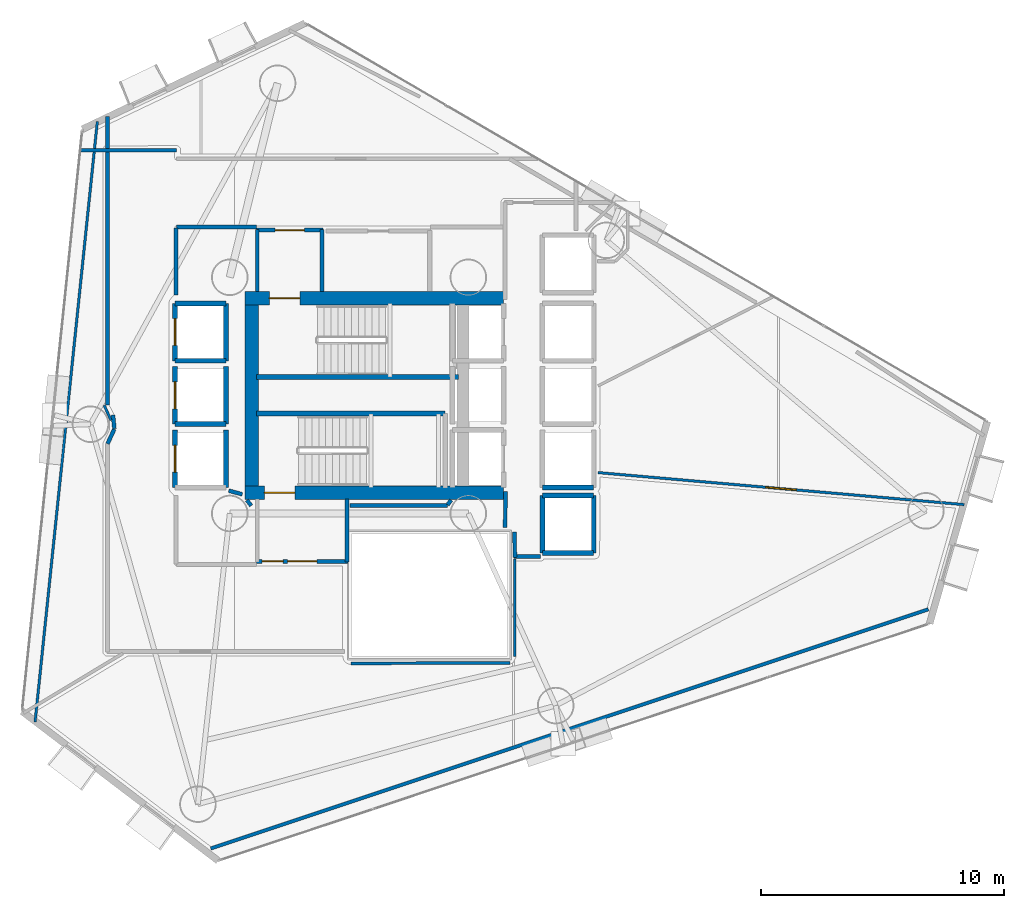
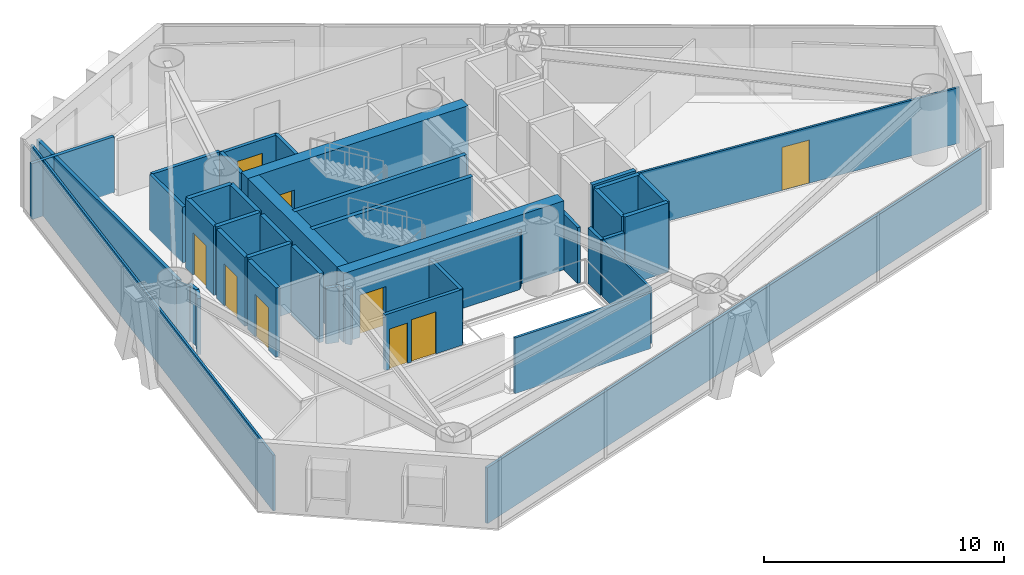
# One storey, part 14 of 19: 43 walls, 9 doors, 9 openings.
"""IFC4 building model written with IfcOpenShell, lengths in metres."""

from ifc_helpers import new_model, si_unit, direction, frame, frame_2d, origin, place, context, subcontext, project, spatial, rectangle, extrude, material, layer, layer_set, type_object, element, fill, save


model = new_model("IFC4")

# Units and contexts
model_context = context("Model", 3, precision=1e-05, world=origin(), true_north=direction((0.0, 1.0)))
body_context = subcontext(model_context, "Body", "Model", "MODEL_VIEW")
ifc_project = project(units=[si_unit("LENGTHUNIT", "METRE"), si_unit("AREAUNIT", "SQUARE_METRE"), si_unit("VOLUMEUNIT", "CUBIC_METRE"), si_unit("PLANEANGLEUNIT", "RADIAN"), si_unit("MASSUNIT", "GRAM", prefix="KILO")], contexts=[model_context])

# Site, building, storey
site_placement = place(None, origin())
site = spatial("IfcSite", under=ifc_project, at=site_placement, CompositionType="ELEMENT")
building_placement = place(site_placement, origin())
building = spatial("IfcBuilding", under=site, at=building_placement, Name="Qianvela Tower", CompositionType="ELEMENT")
storey_placement = place(building_placement, frame((0.0, 0.0, 120.0)))
storey = spatial("IfcBuildingStorey", under=building, at=storey_placement, Name="L30", CompositionType="ELEMENT", Elevation=120.0)

# Wall, opening, door
ifc_material_1 = material(Name="Concrete C60", Category="concrete")
ifc_layer_1 = layer(ifc_material_1, 0.550048828125)
ifc_layer_set_1 = layer_set([ifc_layer_1], Name="Concrete C60")
wall_type_1 = type_object("IfcWallType", Name="WT-CORE-550", PredefinedType="SHEAR", material=ifc_layer_set_1)
wall_1_placement = place(storey_placement, frame((29.22998046875, 32.695068359375, 0.0), z_axis=(0.0, 0.0, 1.0), x_axis=(1.0, 0.0, 0.0)))
wall_1 = element("IfcWall", 1, at=wall_1_placement, inside=storey, type_object=wall_type_1, Name="L30 North Core Shear Wall", PredefinedType="SHEAR", context=body_context, shape_type="SweptSolid", body=[
    extrude(rectangle(XDim=10.6201171875, YDim=0.550048828125, at=frame_2d((5.31005859375, 0.0))), origin(), (0.0, 0.0, 1.0), 3.52001953125),
])
opening_1_placement = place(wall_1_placement, frame((0.9951171875, 0.0, 0.0)))
opening_1 = element("IfcOpeningElement", 2, at=opening_1_placement, cuts=wall_1, Name="Opening D-ST1", PredefinedType="OPENING", context=body_context, shape_type="SweptSolid", body=[
    extrude(rectangle(XDim=1.25, YDim=2.14990234375, at=frame_2d((0.625, 1.074951171875))), frame((0.0, 0.284912109375, 0.0), z_axis=(0.0, -1.0, 0.0), x_axis=(1.0, 0.0, 0.0)), (0.0, 0.0, 1.0), 0.570068359375),
])
ifc_material_2 = material(Name="Galvanised Fire Steel Q355B", Category="steel")
door_type_1 = type_object("IfcDoorType", Name="DT-STAIR-FD90", OperationType="NOTDEFINED", PredefinedType="DOOR", material=ifc_material_2)
door_1_placement = place(opening_1_placement, origin())
door_1 = element("IfcDoor", 3, at=door_1_placement, inside=storey, type_object=door_type_1, Name="L30 Stair ST-1 Exit Door", OperationType="SINGLE_SWING_RIGHT", OverallHeight=2.14990234375, OverallWidth=1.25, PredefinedType="DOOR", context=body_context, shape_type="SweptSolid", body=[
    extrude(rectangle(XDim=1.25, YDim=2.14990234375, at=frame_2d((0.625, 1.074951171875))), frame((0.0, 0.02490234375, 0.0), z_axis=(0.0, -1.0, 0.0), x_axis=(1.0, 0.0, 0.0)), (0.0, 0.0, 1.0), 0.050048828125),
])
fill(opening_1, door_1)

wall_2_placement = place(storey_placement, frame((29.22998046875, 24.705078125, 0.0), z_axis=(0.0, 0.0, 1.0), x_axis=(1.0, 0.0, 0.0)))
wall_2 = element("IfcWall", 4, at=wall_2_placement, inside=storey, type_object=wall_type_1, Name="L30 South Core Shear Wall", PredefinedType="SHEAR", context=body_context, shape_type="SweptSolid", body=[
    extrude(rectangle(XDim=10.6201171875, YDim=0.550048828125, at=frame_2d((5.31005859375, 0.0))), origin(), (0.0, 0.0, 1.0), 3.52001953125),
])
opening_2_placement = place(wall_2_placement, frame((0.794921875, 0.0, 0.0)))
opening_2 = element("IfcOpeningElement", 5, at=opening_2_placement, cuts=wall_2, Name="Opening D-ST1", PredefinedType="OPENING", context=body_context, shape_type="SweptSolid", body=[
    extrude(rectangle(XDim=1.25, YDim=2.14990234375, at=frame_2d((0.625, 1.074951171875))), frame((0.0, 0.284912109375, 0.0), z_axis=(0.0, -1.0, 0.0), x_axis=(1.0, 0.0, 0.0)), (0.0, 0.0, 1.0), 0.570068359375),
])
door_2_placement = place(opening_2_placement, origin())
door_2 = element("IfcDoor", 6, at=door_2_placement, inside=storey, type_object=door_type_1, Name="L30 Stair ST-2 Exit Door", OperationType="SINGLE_SWING_RIGHT", OverallHeight=2.14990234375, OverallWidth=1.25, PredefinedType="DOOR", context=body_context, shape_type="SweptSolid", body=[
    extrude(rectangle(XDim=1.25, YDim=2.14990234375, at=frame_2d((0.625, 1.074951171875))), frame((0.0, 0.02490234375, 0.0), z_axis=(0.0, -1.0, 0.0), x_axis=(1.0, 0.0, 0.0)), (0.0, 0.0, 1.0), 0.050048828125),
])
fill(opening_2, door_2)

# Walls
wall_3_placement = place(storey_placement, frame((29.5048828125, 24.97998046875, 0.0), z_axis=(0.0, 0.0, 1.0), x_axis=(0.0, 1.0, 0.0)))
element("IfcWall", 7, at=wall_3_placement, inside=storey, type_object=wall_type_1, Name="L30 West Core Shear Wall", PredefinedType="SHEAR", context=body_context, shape_type="SweptSolid", body=[
    extrude(rectangle(XDim=7.43994140625, YDim=0.550048828125, at=frame_2d((3.719970703125, 0.0))), origin(), (0.0, 0.0, 1.0), 3.52001953125),
])
ifc_material_3 = material(Name="Fire-Rated Gypsum and Concrete Block", Category="concrete")
ifc_layer_2 = layer(ifc_material_3, 0.159912109375)
ifc_layer_set_2 = layer_set([ifc_layer_2], Name="Fire-Rated Gypsum and Concrete Block")
wall_type_2 = type_object("IfcWallType", Name="WT-CORR-160", PredefinedType="PARTITIONING", material=ifc_layer_set_2)
wall_4_placement = place(storey_placement, frame((29.73095703125, 32.9580078125, 0.0), z_axis=(0.0, 0.0, 1.0), x_axis=(0.0, 1.0, 0.0)))
element("IfcWall", 8, at=wall_4_placement, inside=storey, type_object=wall_type_2, Name="L30 Partition 2", PredefinedType="PARTITIONING", context=body_context, shape_type="SweptSolid", body=[
    extrude(rectangle(XDim=2.56201171875, YDim=0.159912109375, at=frame_2d((1.281005859375, 0.0))), origin(), (0.0, 0.0, 1.0), 2.840087890625),
])

# Wall, opening, door
wall_5_placement = place(storey_placement, frame((29.699951171875, 35.489013671875, 0.0), z_axis=(0.0, 0.0, 1.0), x_axis=(1.0, 0.0, 0.0)))
wall_5 = element("IfcWall", 9, at=wall_5_placement, inside=storey, type_object=wall_type_2, Name="L30 Partition 3", PredefinedType="PARTITIONING", context=body_context, shape_type="SweptSolid", body=[
    extrude(rectangle(XDim=2.719970703125, YDim=0.159912109375, at=frame_2d((1.35986328125, 0.0))), origin(), (0.0, 0.0, 1.0), 2.840087890625),
])
opening_3_placement = place(wall_5_placement, frame((0.760009765625, 0.0, 0.0)))
opening_3 = element("IfcOpeningElement", 10, at=opening_3_placement, cuts=wall_5, Name="Opening D-LB1", PredefinedType="OPENING", context=body_context, shape_type="SweptSolid", body=[
    extrude(rectangle(XDim=1.199951171875, YDim=2.14990234375, at=frame_2d((0.60009765625, 1.074951171875))), frame((0.0, 0.08984375, 0.0), z_axis=(0.0, -1.0, 0.0), x_axis=(1.0, 0.0, 0.0)), (0.0, 0.0, 1.0), 0.179931640625),
])
ifc_material_4 = material(Name="Glazed Fire-Rated Steel Frame", Category="steel")
door_type_2 = type_object("IfcDoorType", Name="DT-LOBBY-FD90", OperationType="NOTDEFINED", PredefinedType="DOOR", material=ifc_material_4)
door_3_placement = place(opening_3_placement, origin())
door_3 = element("IfcDoor", 11, at=door_3_placement, inside=storey, type_object=door_type_2, Name="L30 Door L30 Firefighting Lobby North to L30 Floor Corridor", OperationType="SINGLE_SWING_RIGHT", OverallHeight=2.14990234375, OverallWidth=1.199951171875, PredefinedType="DOOR", context=body_context, shape_type="SweptSolid", body=[
    extrude(rectangle(XDim=1.199951171875, YDim=2.14990234375, at=frame_2d((0.60009765625, 1.074951171875))), frame((0.0, 0.02490234375, 0.0), z_axis=(0.0, -1.0, 0.0), x_axis=(1.0, 0.0, 0.0)), (0.0, 0.0, 1.0), 0.050048828125),
])
fill(opening_3, door_3)

# Wall
wall_6_placement = place(storey_placement, frame((32.388916015625, 35.52001953125, 0.0), z_axis=(0.0, 0.0, 1.0), x_axis=(0.0, -1.0, 0.0)))
element("IfcWall", 12, at=wall_6_placement, inside=storey, type_object=wall_type_2, Name="L30 Partition 4", PredefinedType="PARTITIONING", context=body_context, shape_type="SweptSolid", body=[
    extrude(rectangle(XDim=2.56201171875, YDim=0.159912109375, at=frame_2d((1.281005859375, 0.0))), origin(), (0.0, 0.0, 1.0), 2.840087890625),
])

# Wall, openings, doors
wall_7_placement = place(storey_placement, frame((33.449951171875, 21.881103515625, 0.0), z_axis=(0.0, 0.0, 1.0), x_axis=(-1.0, 0.0, 0.0)))
wall_7 = element("IfcWall", 13, at=wall_7_placement, inside=storey, type_object=wall_type_2, Name="L30 Partition 5", PredefinedType="PARTITIONING", context=body_context, shape_type="SweptSolid", body=[
    extrude(rectangle(XDim=3.75, YDim=0.159912109375, at=frame_2d((1.875, 0.0))), origin(), (0.0, 0.0, 1.0), 2.840087890625),
])
opening_4_placement = place(wall_7_placement, frame((1.27490234375, 0.0, 0.0)))
opening_4 = element("IfcOpeningElement", 14, at=opening_4_placement, cuts=wall_7, Name="Opening D-LB1", PredefinedType="OPENING", context=body_context, shape_type="SweptSolid", body=[
    extrude(rectangle(XDim=1.199951171875, YDim=2.14990234375, at=frame_2d((0.60009765625, 1.074951171875))), frame((0.0, 0.08984375, 0.0), z_axis=(0.0, -1.0, 0.0), x_axis=(1.0, 0.0, 0.0)), (0.0, 0.0, 1.0), 0.179931640625),
])
opening_5_placement = place(wall_7_placement, frame((2.659912109375, 0.0, 0.0)))
opening_5 = element("IfcOpeningElement", 15, at=opening_5_placement, cuts=wall_7, Name="Opening D-LB2", PredefinedType="OPENING", context=body_context, shape_type="SweptSolid", body=[
    extrude(rectangle(XDim=0.860107421875, YDim=2.050048828125, at=frame_2d((0.43017578125, 1.02490234375))), frame((0.0, 0.08984375, 0.0), z_axis=(0.0, -1.0, 0.0), x_axis=(1.0, 0.0, 0.0)), (0.0, 0.0, 1.0), 0.179931640625),
])
door_4_placement = place(opening_4_placement, origin())
door_4 = element("IfcDoor", 16, at=door_4_placement, inside=storey, type_object=door_type_2, Name="L30 Door L30 Firefighting Lobby South to L30 Floor Corridor", OperationType="SINGLE_SWING_LEFT", OverallHeight=2.14990234375, OverallWidth=1.199951171875, PredefinedType="DOOR", context=body_context, shape_type="SweptSolid", body=[
    extrude(rectangle(XDim=1.199951171875, YDim=2.14990234375, at=frame_2d((0.60009765625, 1.074951171875))), frame((0.0, 0.02490234375, 0.0), z_axis=(0.0, -1.0, 0.0), x_axis=(1.0, 0.0, 0.0)), (0.0, 0.0, 1.0), 0.050048828125),
])
fill(opening_4, door_4)
ifc_material_5 = material(Name="Insulated Steel Fire Door Q355B", Category="steel")
door_type_3 = type_object("IfcDoorType", Name="DT-LOBBY-FD90-860", OperationType="NOTDEFINED", PredefinedType="DOOR", material=ifc_material_5)
door_5_placement = place(opening_5_placement, origin())
door_5 = element("IfcDoor", 17, at=door_5_placement, inside=storey, type_object=door_type_3, Name="L30 Door L30 Firefighting Lobby South to L30 Floor Corridor", OperationType="SINGLE_SWING_RIGHT", OverallHeight=2.050048828125, OverallWidth=0.860107421875, PredefinedType="DOOR", context=body_context, shape_type="SweptSolid", body=[
    extrude(rectangle(XDim=0.860107421875, YDim=2.050048828125, at=frame_2d((0.43017578125, 1.02490234375))), frame((0.0, 0.02490234375, 0.0), z_axis=(0.0, -1.0, 0.0), x_axis=(1.0, 0.0, 0.0)), (0.0, 0.0, 1.0), 0.050048828125),
])
fill(opening_5, door_5)

# Walls
wall_8_placement = place(storey_placement, frame((33.4189453125, 24.44189453125, 0.0), z_axis=(0.0, 0.0, 1.0), x_axis=(0.0, -1.0, 0.0)))
element("IfcWall", 18, at=wall_8_placement, inside=storey, type_object=wall_type_2, Name="L30 Partition 8", PredefinedType="PARTITIONING", context=body_context, shape_type="SweptSolid", body=[
    extrude(rectangle(XDim=2.591796875, YDim=0.159912109375, at=frame_2d((1.2958984375, 0.0))), origin(), (0.0, 0.0, 1.0), 2.840087890625),
])
wall_9_placement = place(storey_placement, frame((41.360107421875, 22.0810546875, 0.0), z_axis=(0.0, 0.0, 1.0), x_axis=(-1.0, 0.0, 0.0)))
element("IfcWall", 19, at=wall_9_placement, inside=storey, type_object=wall_type_2, Name="L30 Partition 15", PredefinedType="PARTITIONING", context=body_context, shape_type="SweptSolid", body=[
    extrude(rectangle(XDim=1.080078125, YDim=0.159912109375, at=frame_2d((0.5400390625, 0.0))), origin(), (0.0, 0.0, 1.0), 2.840087890625),
])
wall_10_placement = place(storey_placement, frame((40.31103515625, 22.05029296875, 0.0), z_axis=(0.0, 0.0, 1.0), x_axis=(-0.011836292006, 0.999929948642, 0.0)))
element("IfcWall", 20, at=wall_10_placement, inside=storey, type_object=wall_type_2, Name="L30 Partition 16", PredefinedType="PARTITIONING", context=body_context, shape_type="SweptSolid", body=[
    extrude(rectangle(XDim=1.03125, YDim=0.159912109375, at=frame_2d((0.515625, 0.0))), origin(), (0.0, 0.0, 1.0), 2.840087890625),
])
wall_11_placement = place(storey_placement, frame((39.910888671875, 23.27978515625, 0.0), z_axis=(0.0, 0.0, 1.0), x_axis=(0.009397771291, 0.999955839972, 0.0)))
element("IfcWall", 21, at=wall_11_placement, inside=storey, type_object=wall_type_2, Name="L30 Partition 17", PredefinedType="PARTITIONING", context=body_context, shape_type="SweptSolid", body=[
    extrude(rectangle(XDim=1.480712890625, YDim=0.159912109375, at=frame_2d((0.740234375, 0.0))), origin(), (0.0, 0.0, 1.0), 2.840087890625),
])
wall_12_placement = place(storey_placement, frame((29.47998046875, 24.1689453125, 0.0), z_axis=(0.0, 0.0, 1.0), x_axis=(-0.607608252226, 0.794236873878, 0.0)))
element("IfcWall", 22, at=wall_12_placement, inside=storey, type_object=wall_type_2, Name="L30 Partition 26", PredefinedType="PARTITIONING", context=body_context, shape_type="SweptSolid", body=[
    extrude(rectangle(XDim=0.286376953125, YDim=0.159912109375, at=frame_2d((0.14306640625, 0.0))), origin(), (0.0, 0.0, 1.0), 2.840087890625),
])
wall_13_placement = place(storey_placement, frame((29.113525390625, 24.63671875, 0.0), z_axis=(0.0, 0.0, 1.0), x_axis=(-0.966199685486, 0.257794817183, 0.0)))
element("IfcWall", 23, at=wall_13_placement, inside=storey, type_object=wall_type_2, Name="L30 Partition 27", PredefinedType="PARTITIONING", context=body_context, shape_type="SweptSolid", body=[
    extrude(rectangle(XDim=0.574951171875, YDim=0.159912109375, at=frame_2d((0.28759765625, 0.0))), origin(), (0.0, 0.0, 1.0), 2.840087890625),
])
wall_14_placement = place(storey_placement, frame((37.694091796875, 24.396484375, 0.0), z_axis=(0.0, 0.0, 1.0), x_axis=(-0.607118658061, -0.794611184815, 0.0)))
element("IfcWall", 24, at=wall_14_placement, inside=storey, type_object=wall_type_2, Name="L30 Partition 34", PredefinedType="PARTITIONING", context=body_context, shape_type="SweptSolid", body=[
    extrude(rectangle(XDim=0.24609375, YDim=0.159912109375, at=frame_2d((0.123046875, 0.0))), origin(), (0.0, 0.0, 1.0), 2.840087890625),
])
wall_15_placement = place(storey_placement, frame((37.544677734375, 24.180908203125, 0.0), z_axis=(0.0, 0.0, 1.0), x_axis=(-1.0, 0.0, 0.0)))
element("IfcWall", 25, at=wall_15_placement, inside=storey, type_object=wall_type_2, Name="L30 Partition 35", PredefinedType="PARTITIONING", context=body_context, shape_type="SweptSolid", body=[
    extrude(rectangle(XDim=4.0146484375, YDim=0.159912109375, at=frame_2d((2.00732421875, 0.0))), origin(), (0.0, 0.0, 1.0), 2.840087890625),
])
wall_16_placement = place(storey_placement, frame((23.5810546875, 28.306640625, 0.0), z_axis=(0.0, 0.0, 1.0), x_axis=(0.0, 1.0, 0.0)))
element("IfcWall", 26, at=wall_16_placement, inside=storey, type_object=wall_type_2, Name="L30 Partition 36", PredefinedType="PARTITIONING", context=body_context, shape_type="SweptSolid", body=[
    extrude(rectangle(XDim=11.84423828125, YDim=0.159912109375, at=frame_2d((5.922119140625, 0.0))), origin(), (0.0, 0.0, 1.0), 2.840087890625),
])
wall_17_placement = place(storey_placement, frame((22.4384765625, 38.76904296875, 0.0), z_axis=(0.0, 0.0, 1.0), x_axis=(1.0, 0.0, 0.0)))
element("IfcWall", 27, at=wall_17_placement, inside=storey, type_object=wall_type_2, Name="L30 Partition 37", PredefinedType="PARTITIONING", context=body_context, shape_type="SweptSolid", body=[
    extrude(rectangle(XDim=3.9814453125, YDim=0.159912109375, at=frame_2d((1.99072265625, 0.0))), origin(), (0.0, 0.0, 1.0), 2.840087890625),
])
wall_18_placement = place(storey_placement, frame((29.699951171875, 35.611083984375, 0.0), z_axis=(0.0, 0.0, 1.0), x_axis=(-1.0, 0.0, 0.0)))
element("IfcWall", 28, at=wall_18_placement, inside=storey, type_object=wall_type_2, Name="L30 Partition 42 seg 3", PredefinedType="PARTITIONING", context=body_context, shape_type="SweptSolid", body=[
    extrude(rectangle(XDim=3.280029296875, YDim=0.159912109375, at=frame_2d((1.64013671875, 0.0))), origin(), (0.0, 0.0, 1.0), 2.840087890625),
])
wall_19_placement = place(storey_placement, frame((26.388916015625, 35.580078125, 0.0), z_axis=(0.0, 0.0, 1.0), x_axis=(0.0, -1.0, 0.0)))
element("IfcWall", 29, at=wall_19_placement, inside=storey, type_object=wall_type_2, Name="L30 Partition 43", PredefinedType="PARTITIONING", context=body_context, shape_type="SweptSolid", body=[
    extrude(rectangle(XDim=2.761474609375, YDim=0.159912109375, at=frame_2d((1.380859375, 0.0))), origin(), (0.0, 0.0, 1.0), 2.840087890625),
])
wall_20_placement = place(storey_placement, frame((23.578125, 26.71240234375, 0.0), z_axis=(0.0, 0.0, 1.0), x_axis=(0.421251946418, 0.906943657367, 0.0)))
element("IfcWall", 30, at=wall_20_placement, inside=storey, type_object=wall_type_2, Name="L30 Partition 49", PredefinedType="PARTITIONING", context=body_context, shape_type="SweptSolid", body=[
    extrude(rectangle(XDim=0.6630859375, YDim=0.159912109375, at=frame_2d((0.33154296875, 0.0))), origin(), (0.0, 0.0, 1.0), 2.840087890625),
])
wall_21_placement = place(storey_placement, frame((23.860107421875, 27.329833984375, 0.0), z_axis=(0.0, 0.0, 1.0), x_axis=(-0.098000919071, 0.995186324193, 0.0)))
element("IfcWall", 31, at=wall_21_placement, inside=storey, type_object=wall_type_2, Name="L30 Partition 50", PredefinedType="PARTITIONING", context=body_context, shape_type="SweptSolid", body=[
    extrude(rectangle(XDim=0.56298828125, YDim=0.159912109375, at=frame_2d((0.281494140625, 0.0))), origin(), (0.0, 0.0, 1.0), 2.840087890625),
])

# Wall, opening, door
ifc_material_6 = material(Name="Lightweight Gypsum Room Partition")
ifc_layer_3 = layer(ifc_material_6, 0.10498046875)
ifc_layer_set_3 = layer_set([ifc_layer_3], Name="Lightweight Gypsum Room Partition")
wall_type_3 = type_object("IfcWallType", Name="WT-PART-105", PredefinedType="PARTITIONING", material=ifc_layer_set_3)
wall_22_placement = place(storey_placement, frame((58.769775390625, 24.21240234375, 0.0), z_axis=(0.0, 0.0, 1.0), x_axis=(-0.996194963042, 0.087152714304, 0.0)))
wall_22 = element("IfcWall", 32, at=wall_22_placement, inside=storey, type_object=wall_type_3, Name="L30 Partition 55", PredefinedType="PARTITIONING", context=body_context, shape_type="SweptSolid", body=[
    extrude(rectangle(XDim=15.1044921875, YDim=0.10498046875, at=frame_2d((7.55224609375, 0.0))), origin(), (0.0, 0.0, 1.0), 2.840087890625),
])
opening_6_placement = place(wall_22_placement, frame((6.92724609375, 0.0, 0.0)))
opening_6 = element("IfcOpeningElement", 33, at=opening_6_placement, cuts=wall_22, Name="Opening D-LG1", PredefinedType="OPENING", context=body_context, shape_type="SweptSolid", body=[
    extrude(rectangle(XDim=1.25, YDim=2.199951171875, at=frame_2d((0.625, 1.10009765625))), frame((0.0, 0.0625, 0.0), z_axis=(0.0, -1.0, 0.0), x_axis=(1.0, 0.0, 0.0)), (0.0, 0.0, 1.0), 0.125),
])
ifc_material_7 = material(Name="Anodised Aluminium Acoustic Glass Door", Category="aluminium")
door_type_4 = type_object("IfcDoorType", Name="DT-LOUNGE-1250", OperationType="NOTDEFINED", PredefinedType="DOOR", material=ifc_material_7)
door_6_placement = place(opening_6_placement, origin())
door_6 = element("IfcDoor", 34, at=door_6_placement, inside=storey, type_object=door_type_4, Name="L30 Door Campus Convenience Shop L30-01 to Student Wellness Lounge L30-04", OperationType="SINGLE_SWING_RIGHT", OverallHeight=2.199951171875, OverallWidth=1.25, PredefinedType="DOOR", context=body_context, shape_type="SweptSolid", body=[
    extrude(rectangle(XDim=1.25, YDim=2.199951171875, at=frame_2d((0.625, 1.10009765625))), frame((0.0, 0.02490234375, 0.0), z_axis=(0.0, -1.0, 0.0), x_axis=(1.0, 0.0, 0.0)), (0.0, 0.0, 1.0), 0.050048828125),
])
fill(opening_6, door_6)

# Walls
wall_23_placement = place(storey_placement, frame((20.60302734375, 15.28955078125, 0.0), z_axis=(0.0, 0.0, 1.0), x_axis=(0.103142728842, 0.994666565984, 0.0)))
element("IfcWall", 35, at=wall_23_placement, inside=storey, type_object=wall_type_3, Name="L30 Partition 70", PredefinedType="PARTITIONING", context=body_context, shape_type="SweptSolid", body=[
    extrude(rectangle(XDim=24.792236328125, YDim=0.10498046875, at=frame_2d((12.39599609375, 0.0))), origin(), (0.0, 0.0, 1.0), 2.840087890625),
])
wall_24_placement = place(storey_placement, frame((23.44189453125, 28.293701171875, 0.0), z_axis=(0.0, 0.0, 1.0), x_axis=(0.414457934003, -0.910068470469, 0.0)))
element("IfcWall", 36, at=wall_24_placement, inside=storey, type_object=wall_type_3, Name="L30 Partition 76", PredefinedType="PARTITIONING", context=body_context, shape_type="SweptSolid", body=[
    extrude(rectangle(XDim=0.673828125, YDim=0.10498046875, at=frame_2d((0.3369140625, 0.0))), origin(), (0.0, 0.0, 1.0), 2.840087890625),
])
wall_25_placement = place(storey_placement, frame((40.309814453125, 17.972412109375, 0.0), z_axis=(0.0, 0.0, 1.0), x_axis=(0.000305362145, 0.999999953377, 0.0)))
element("IfcWall", 37, at=wall_25_placement, inside=storey, type_object=wall_type_3, Name="L30 Partition 79 seg 1", PredefinedType="PARTITIONING", context=body_context, shape_type="SweptSolid", body=[
    extrude(rectangle(XDim=3.99755859375, YDim=0.10498046875, at=frame_2d((1.998779296875, 0.0))), origin(), (0.0, 0.0, 1.0), 2.840087890625),
])
ifc_material_8 = material(Name="Insulated Gypsum Stud Partition")
ifc_layer_4 = layer(ifc_material_8, 0.1201171875)
ifc_layer_set_4 = layer_set([ifc_layer_4], Name="Insulated Gypsum Stud Partition")
wall_type_4 = type_object("IfcWallType", Name="WT-PART-120", PredefinedType="PARTITIONING", material=ifc_layer_set_4)
wall_26_placement = place(storey_placement, frame((33.572509765625, 17.690185546875, 0.0), z_axis=(0.0, 0.0, 1.0), x_axis=(0.999995307247, 0.003063573758, 0.0)))
element("IfcWall", 38, at=wall_26_placement, inside=storey, type_object=wall_type_4, Name="L30 Partition 90", PredefinedType="PARTITIONING", context=body_context, shape_type="SweptSolid", body=[
    extrude(rectangle(XDim=6.53466796875, YDim=0.1201171875, at=frame_2d((3.267333984375, 0.0))), origin(), (0.0, 0.0, 1.0), 2.840087890625),
])
ifc_material_9 = material(Name="Acoustic Double Gypsum Stud Partition")
ifc_layer_5 = layer(ifc_material_9, 0.139892578125)
ifc_layer_set_5 = layer_set([ifc_layer_5], Name="Acoustic Double Gypsum Stud Partition")
wall_type_5 = type_object("IfcWallType", Name="WT-ROOM-140", PredefinedType="PARTITIONING", material=ifc_layer_set_5)
wall_27_placement = place(storey_placement, frame((57.29443359375, 19.911376953125, 0.0), z_axis=(0.0, 0.0, 1.0), x_axis=(-0.948692726802, -0.316199478356, 0.0)))
element("IfcWall", 39, at=wall_27_placement, inside=storey, type_object=wall_type_5, Name="L30 Partition 86", PredefinedType="PARTITIONING", context=body_context, shape_type="SweptSolid", body=[
    extrude(rectangle(XDim=31.070556640625, YDim=0.139892578125, at=frame_2d((15.53515625, 0.0))), origin(), (0.0, 0.0, 1.0), 2.840087890625),
])
ifc_material_10 = material(Name="Concrete C50", Category="concrete")
ifc_layer_6 = layer(ifc_material_10, 0.199951171875)
ifc_layer_set_6 = layer_set([ifc_layer_6], Name="Concrete C50")
wall_type_6 = type_object("IfcWallType", Name="WT-SHAFT-200", PredefinedType="SOLIDWALL", material=ifc_layer_set_6)
wall_28_placement = place(storey_placement, frame((29.699951171875, 29.449951171875, 0.0), z_axis=(0.0, 0.0, 1.0), x_axis=(1.0, 0.0, 0.0)))
element("IfcWall", 40, at=wall_28_placement, inside=storey, type_object=wall_type_6, Name="L30 Stair ST-1 South Wall", PredefinedType="SOLIDWALL", context=body_context, shape_type="SweptSolid", body=[
    extrude(rectangle(XDim=8.300048828125, YDim=0.199951171875, at=frame_2d((4.14990234375, 0.0))), origin(), (0.0, 0.0, 1.0), 3.52001953125),
])
wall_29_placement = place(storey_placement, frame((29.699951171875, 27.9599609375, 0.0), z_axis=(0.0, 0.0, 1.0), x_axis=(1.0, 0.0, 0.0)))
element("IfcWall", 41, at=wall_29_placement, inside=storey, type_object=wall_type_6, Name="L30 Stair ST-2 North Wall", PredefinedType="SOLIDWALL", context=body_context, shape_type="SweptSolid", body=[
    extrude(rectangle(XDim=7.75, YDim=0.199951171875, at=frame_2d((3.875, 0.0))), origin(), (0.0, 0.0, 1.0), 3.52001953125),
])
wall_30_placement = place(storey_placement, frame((28.449951171875, 30.1201171875, 0.0), z_axis=(0.0, 0.0, 1.0), x_axis=(0.0, 1.0, 0.0)))
element("IfcWall", 42, at=wall_30_placement, inside=storey, type_object=wall_type_6, Name="L30 Lift PL-L1 E Shaft Wall", PredefinedType="SOLIDWALL", context=body_context, shape_type="SweptSolid", body=[
    extrude(rectangle(XDim=2.35986328125, YDim=0.199951171875, at=frame_2d((1.179931640625, 0.0))), origin(), (0.0, 0.0, 1.0), 3.52001953125),
])

# Wall, opening, door
wall_31_placement = place(storey_placement, frame((26.35009765625, 30.1201171875, 0.0), z_axis=(0.0, 0.0, 1.0), x_axis=(0.0, 1.0, 0.0)))
wall_31 = element("IfcWall", 43, at=wall_31_placement, inside=storey, type_object=wall_type_6, Name="L30 Lift PL-L1 W Shaft Wall", PredefinedType="SOLIDWALL", context=body_context, shape_type="SweptSolid", body=[
    extrude(rectangle(XDim=2.35986328125, YDim=0.199951171875, at=frame_2d((1.179931640625, 0.0))), origin(), (0.0, 0.0, 1.0), 3.52001953125),
])
opening_7_placement = place(wall_31_placement, frame((0.6298828125, 0.0, 0.0)))
opening_7 = element("IfcOpeningElement", 44, at=opening_7_placement, cuts=wall_31, Name="Opening LD-01", PredefinedType="OPENING", context=body_context, shape_type="SweptSolid", body=[
    extrude(rectangle(XDim=1.10009765625, YDim=2.14990234375, at=frame_2d((0.550048828125, 1.074951171875))), frame((0.0, 0.10986328125, 0.0), z_axis=(0.0, -1.0, 0.0), x_axis=(1.0, 0.0, 0.0)), (0.0, 0.0, 1.0), 0.219970703125),
])
ifc_material_11 = material(Name="Brushed Stainless Steel Lift Landing Door", Category="steel")
door_type_5 = type_object("IfcDoorType", Name="DT-LIFT-SLIDE-1100", OperationType="SLIDING_TO_LEFT", PredefinedType="DOOR", material=ifc_material_11)
door_7_placement = place(opening_7_placement, origin())
door_7 = element("IfcDoor", 45, at=door_7_placement, inside=storey, type_object=door_type_5, Name="L30 Lift PL-L1 Sliding Landing Door", OperationType="SLIDING_TO_LEFT", OverallHeight=2.14990234375, OverallWidth=1.10009765625, PredefinedType="DOOR", context=body_context, shape_type="SweptSolid", body=[
    extrude(rectangle(XDim=1.10009765625, YDim=2.14990234375, at=frame_2d((0.550048828125, 1.074951171875))), frame((0.0, 0.02490234375, 0.0), z_axis=(0.0, -1.0, 0.0), x_axis=(1.0, 0.0, 0.0)), (0.0, 0.0, 1.0), 0.050048828125),
])
fill(opening_7, door_7)

# Walls
for number, where, z_axis, x_axis, name in (
    (46, (26.35009765625, 32.47998046875, 0.0), (0.0, 0.0, 1.0), (1.0, 0.0, 0.0), "L30 Lift PL-L1 N Shaft Wall"),
    (47, (26.35009765625, 30.1201171875, 0.0), (0.0, 0.0, 1.0), (1.0, 0.0, 0.0), "L30 Lift PL-L1 S Shaft Wall"),
):
    element("IfcWall", number, at=place(storey_placement, frame(where, z_axis=z_axis, x_axis=x_axis)), inside=storey, type_object=wall_type_6, Name=name, PredefinedType="SOLIDWALL", context=body_context, shape_type="SweptSolid", body=[
        extrude(rectangle(XDim=2.099853515625, YDim=0.199951171875, at=frame_2d((1.0498046875, 0.0))), origin(), (0.0, 0.0, 1.0), 3.52001953125),
    ])
wall_32_placement = place(storey_placement, frame((28.449951171875, 27.52001953125, 0.0), z_axis=(0.0, 0.0, 1.0), x_axis=(0.0, 1.0, 0.0)))
element("IfcWall", 48, at=wall_32_placement, inside=storey, type_object=wall_type_6, Name="L30 Lift PL-L2 E Shaft Wall", PredefinedType="SOLIDWALL", context=body_context, shape_type="SweptSolid", body=[
    extrude(rectangle(XDim=2.35986328125, YDim=0.199951171875, at=frame_2d((1.179931640625, 0.0))), origin(), (0.0, 0.0, 1.0), 3.52001953125),
])

# Wall, opening, door
wall_33_placement = place(storey_placement, frame((26.35009765625, 27.52001953125, 0.0), z_axis=(0.0, 0.0, 1.0), x_axis=(0.0, 1.0, 0.0)))
wall_33 = element("IfcWall", 49, at=wall_33_placement, inside=storey, type_object=wall_type_6, Name="L30 Lift PL-L2 W Shaft Wall", PredefinedType="SOLIDWALL", context=body_context, shape_type="SweptSolid", body=[
    extrude(rectangle(XDim=2.35986328125, YDim=0.199951171875, at=frame_2d((1.179931640625, 0.0))), origin(), (0.0, 0.0, 1.0), 3.52001953125),
])
opening_8_placement = place(wall_33_placement, frame((0.6298828125, 0.0, 0.0)))
opening_8 = element("IfcOpeningElement", 50, at=opening_8_placement, cuts=wall_33, Name="Opening LD-01", PredefinedType="OPENING", context=body_context, shape_type="SweptSolid", body=[
    extrude(rectangle(XDim=1.10009765625, YDim=2.14990234375, at=frame_2d((0.550048828125, 1.074951171875))), frame((0.0, 0.10986328125, 0.0), z_axis=(0.0, -1.0, 0.0), x_axis=(1.0, 0.0, 0.0)), (0.0, 0.0, 1.0), 0.219970703125),
])
door_8_placement = place(opening_8_placement, origin())
door_8 = element("IfcDoor", 51, at=door_8_placement, inside=storey, type_object=door_type_5, Name="L30 Lift PL-L2 Sliding Landing Door", OperationType="SLIDING_TO_LEFT", OverallHeight=2.14990234375, OverallWidth=1.10009765625, PredefinedType="DOOR", context=body_context, shape_type="SweptSolid", body=[
    extrude(rectangle(XDim=1.10009765625, YDim=2.14990234375, at=frame_2d((0.550048828125, 1.074951171875))), frame((0.0, 0.02490234375, 0.0), z_axis=(0.0, -1.0, 0.0), x_axis=(1.0, 0.0, 0.0)), (0.0, 0.0, 1.0), 0.050048828125),
])
fill(opening_8, door_8)

# Walls
wall_34_placement = place(storey_placement, frame((26.35009765625, 27.52001953125, 0.0), z_axis=(0.0, 0.0, 1.0), x_axis=(1.0, 0.0, 0.0)))
element("IfcWall", 52, at=wall_34_placement, inside=storey, type_object=wall_type_6, Name="L30 Lift PL-L2 S Shaft Wall", PredefinedType="SOLIDWALL", context=body_context, shape_type="SweptSolid", body=[
    extrude(rectangle(XDim=2.099853515625, YDim=0.199951171875, at=frame_2d((1.0498046875, 0.0))), origin(), (0.0, 0.0, 1.0), 3.52001953125),
])
wall_35_placement = place(storey_placement, frame((28.449951171875, 24.919921875, 0.0), z_axis=(0.0, 0.0, 1.0), x_axis=(0.0, 1.0, 0.0)))
element("IfcWall", 53, at=wall_35_placement, inside=storey, type_object=wall_type_6, Name="L30 Lift PL-L3 E Shaft Wall", PredefinedType="SOLIDWALL", context=body_context, shape_type="SweptSolid", body=[
    extrude(rectangle(XDim=2.360107421875, YDim=0.199951171875, at=frame_2d((1.18017578125, 0.0))), origin(), (0.0, 0.0, 1.0), 3.52001953125),
])

# Wall, opening, door
wall_36_placement = place(storey_placement, frame((26.35009765625, 24.919921875, 0.0), z_axis=(0.0, 0.0, 1.0), x_axis=(0.0, 1.0, 0.0)))
wall_36 = element("IfcWall", 54, at=wall_36_placement, inside=storey, type_object=wall_type_6, Name="L30 Lift PL-L3 W Shaft Wall", PredefinedType="SOLIDWALL", context=body_context, shape_type="SweptSolid", body=[
    extrude(rectangle(XDim=2.360107421875, YDim=0.199951171875, at=frame_2d((1.18017578125, 0.0))), origin(), (0.0, 0.0, 1.0), 3.52001953125),
])
opening_9_placement = place(wall_36_placement, frame((0.6298828125, 0.0, 0.0)))
opening_9 = element("IfcOpeningElement", 55, at=opening_9_placement, cuts=wall_36, Name="Opening LD-01", PredefinedType="OPENING", context=body_context, shape_type="SweptSolid", body=[
    extrude(rectangle(XDim=1.10009765625, YDim=2.14990234375, at=frame_2d((0.550048828125, 1.074951171875))), frame((0.0, 0.10986328125, 0.0), z_axis=(0.0, -1.0, 0.0), x_axis=(1.0, 0.0, 0.0)), (0.0, 0.0, 1.0), 0.219970703125),
])
door_9_placement = place(opening_9_placement, origin())
door_9 = element("IfcDoor", 56, at=door_9_placement, inside=storey, type_object=door_type_5, Name="L30 Lift PL-L3 Sliding Landing Door", OperationType="SLIDING_TO_LEFT", OverallHeight=2.14990234375, OverallWidth=1.10009765625, PredefinedType="DOOR", context=body_context, shape_type="SweptSolid", body=[
    extrude(rectangle(XDim=1.10009765625, YDim=2.14990234375, at=frame_2d((0.550048828125, 1.074951171875))), frame((0.0, 0.02490234375, 0.0), z_axis=(0.0, -1.0, 0.0), x_axis=(1.0, 0.0, 0.0)), (0.0, 0.0, 1.0), 0.050048828125),
])
fill(opening_9, door_9)

# Walls
wall_37_placement = place(storey_placement, frame((41.449951171875, 24.919921875, 0.0), z_axis=(0.0, 0.0, 1.0), x_axis=(1.0, 0.0, 0.0)))
element("IfcWall", 57, at=wall_37_placement, inside=storey, type_object=wall_type_6, Name="L30 Lift PL-M3 S Shaft Wall", PredefinedType="SOLIDWALL", context=body_context, shape_type="SweptSolid", body=[
    extrude(rectangle(XDim=2.10009765625, YDim=0.199951171875, at=frame_2d((1.050048828125, 0.0))), origin(), (0.0, 0.0, 1.0), 3.52001953125),
])
for number, where, z_axis, x_axis, name in (
    (58, (43.550048828125, 22.219970703125, 0.0), (0.0, 0.0, 1.0), (0.0, 1.0, 0.0), "L30 Lift PL-H2 E Shaft Wall"),
    (59, (41.449951171875, 22.219970703125, 0.0), (0.0, 0.0, 1.0), (0.0, 1.0, 0.0), "L30 Lift PL-H2 W Shaft Wall"),
):
    element("IfcWall", number, at=place(storey_placement, frame(where, z_axis=z_axis, x_axis=x_axis)), inside=storey, type_object=wall_type_6, Name=name, PredefinedType="SOLIDWALL", context=body_context, shape_type="SweptSolid", body=[
        extrude(rectangle(XDim=2.360107421875, YDim=0.199951171875, at=frame_2d((1.18017578125, 0.0))), origin(), (0.0, 0.0, 1.0), 3.52001953125),
    ])
for number, where, z_axis, x_axis, name in (
    (60, (41.449951171875, 24.580078125, 0.0), (0.0, 0.0, 1.0), (1.0, 0.0, 0.0), "L30 Lift PL-H2 N Shaft Wall"),
    (61, (41.449951171875, 22.219970703125, 0.0), (0.0, 0.0, 1.0), (1.0, 0.0, 0.0), "L30 Lift PL-H2 S Shaft Wall"),
):
    element("IfcWall", number, at=place(storey_placement, frame(where, z_axis=z_axis, x_axis=x_axis)), inside=storey, type_object=wall_type_6, Name=name, PredefinedType="SOLIDWALL", context=body_context, shape_type="SweptSolid", body=[
        extrude(rectangle(XDim=2.10009765625, YDim=0.199951171875, at=frame_2d((1.050048828125, 0.0))), origin(), (0.0, 0.0, 1.0), 3.52001953125),
    ])

save(model, "model.ifc")
